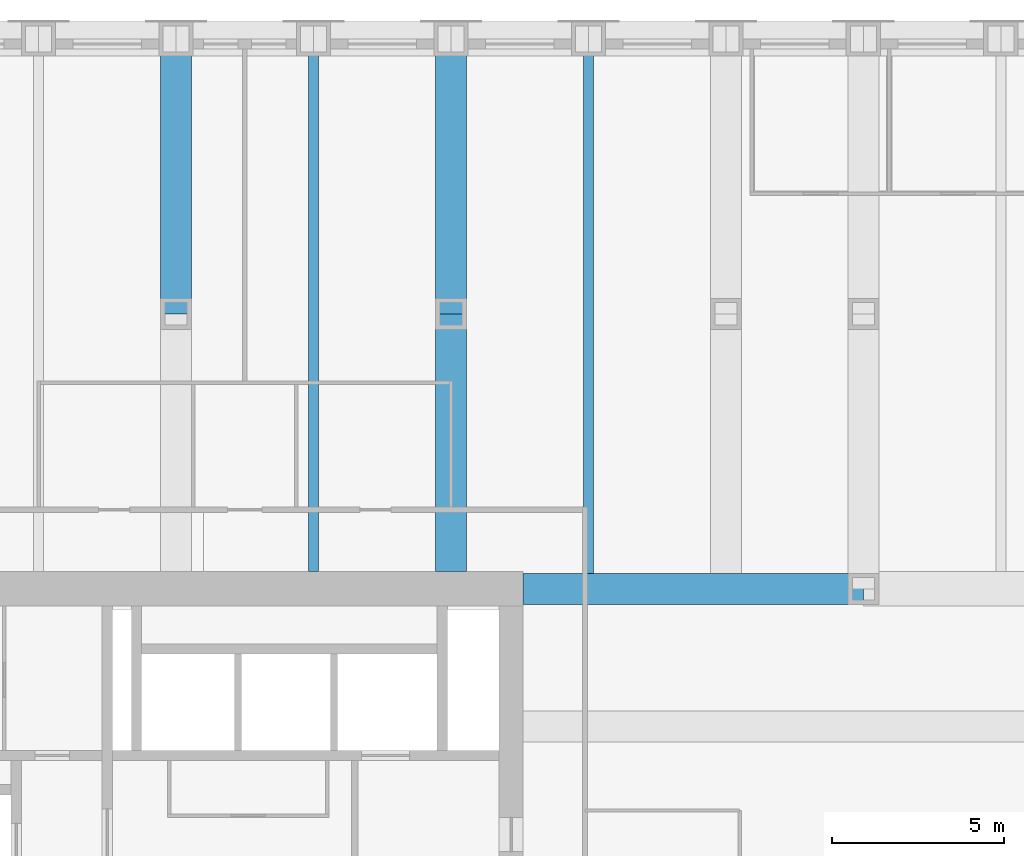
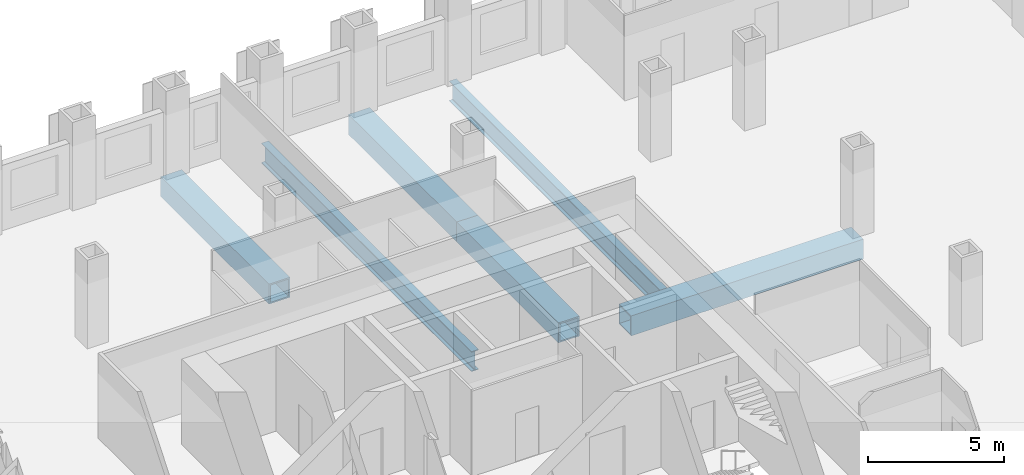
# One storey, part 7 of 16: 6 beams.
"""IFC4 building model written with IfcOpenShell, lengths in metres."""

import ifcopenshell
import ifcopenshell.guid

model = None  # the IFC model being written
_history = None  # IfcOwnerHistory: only IFC2X3 demands one
_inside = {}  # id of a spatial element -> (the spatial element, [elements in it])
_under = {}  # id of a project, library or spatial element -> (it, [spatial elements below it])
_declared = {}  # id of a project -> (the project, [libraries it declares])
_typed = {}  # id of a type object -> (the type object, [elements of that type])
_made_of = {}  # id of a material, layer set ... -> (it, [elements and type objects made of it])


def new_model(schema):
    """Start an empty IFC model of exactly this schema.

    Asked for "IFC4X3", IfcOpenShell would pick the latest addendum, in which some entities
    have other attributes; the version numbers below select the first issue.
    IFC2X3 requires an IfcOwnerHistory on every rooted entity: one is made here for all.
    """
    global model, _history
    if schema == "IFC4X3":
        model = ifcopenshell.file(schema_version=(4, 3, 0, 0))
    else:
        model = ifcopenshell.file(schema=schema)
    _inside.clear()
    _under.clear()
    _declared.clear()
    _typed.clear()
    _made_of.clear()
    _history = None
    if model.schema == "IFC2X3":
        org = make("IfcOrganization", Name="unknown")
        user = make(
            "IfcPersonAndOrganization",
            ThePerson=make("IfcPerson", FamilyName="unknown"),
            TheOrganization=org,
        )
        app = make(
            "IfcApplication",
            ApplicationDeveloper=org,
            Version="unknown",
            ApplicationFullName="unknown",
            ApplicationIdentifier="unknown",
        )
        _history = make(
            "IfcOwnerHistory",
            OwningUser=user,
            OwningApplication=app,
            ChangeAction="ADDED",
            CreationDate=0,
        )
    return model


def make(cls, **values):
    """One entity of the class cls with the attributes given. An attribute that is None is left unset."""
    return model.create_entity(
        cls, **{name: value for name, value in values.items() if value is not None}
    )


def rooted(cls, **values):
    """An entity with a GlobalId (a new one), such as an element, a storey or a relation."""
    return make(cls, GlobalId=ifcopenshell.guid.new(), OwnerHistory=_history, **values)


def si_unit(unit_type, name, prefix=None):
    """IfcSIUnit, for example si_unit("LENGTHUNIT", "METRE", prefix="MILLI")."""
    return make("IfcSIUnit", UnitType=unit_type, Prefix=prefix, Name=name)


def assignment(units):
    """IfcUnitAssignment: the units of a project."""
    return None if units is None else make("IfcUnitAssignment", Units=units)


def point(xyz):
    """IfcCartesianPoint."""
    return None if xyz is None else make("IfcCartesianPoint", Coordinates=xyz)


def direction(xyz):
    """IfcDirection."""
    return None if xyz is None else make("IfcDirection", DirectionRatios=xyz)


def frame(location, z_axis=None, x_axis=None):
    """IfcAxis2Placement3D, a coordinate frame: its origin and axes. An axis left out is left unset."""
    return make(
        "IfcAxis2Placement3D",
        Location=point(location),
        Axis=direction(z_axis),
        RefDirection=direction(x_axis),
    )


def frame_2d(location, x_axis=None):
    """IfcAxis2Placement2D, a coordinate frame in the plane: its origin and x axis."""
    return make(
        "IfcAxis2Placement2D", Location=point(location), RefDirection=direction(x_axis)
    )


def origin():
    """The frame at (0, 0, 0) with its axes left unset."""
    return frame((0.0, 0.0, 0.0))


def origin_2d():
    """The frame at (0, 0) in the plane with its x axis left unset."""
    return frame_2d((0.0, 0.0))


def place(relative_to, where):
    """IfcLocalPlacement: puts the frame where relative to a parent placement (None: the world)."""
    return make(
        "IfcLocalPlacement", PlacementRelTo=relative_to, RelativePlacement=where
    )


def context(
    kind, dimensions, precision=None, world=None, true_north=None, identifier=None
):
    """IfcGeometricRepresentationContext, for example the 3D "Model" context."""
    return make(
        "IfcGeometricRepresentationContext",
        ContextIdentifier=identifier,
        ContextType=kind,
        CoordinateSpaceDimension=dimensions,
        Precision=precision,
        WorldCoordinateSystem=world,
        TrueNorth=true_north,
    )


def subcontext(parent, identifier, kind, view, scale=None):
    """IfcGeometricRepresentationSubContext, for example "Body" below "Model"."""
    return make(
        "IfcGeometricRepresentationSubContext",
        ContextIdentifier=identifier,
        ContextType=kind,
        ParentContext=parent,
        TargetScale=scale,
        TargetView=view,
    )


def project(units=None, contexts=None):
    """IfcProject with its units and contexts."""
    return rooted(
        "IfcProject",
        Name="project",
        RepresentationContexts=contexts,
        UnitsInContext=assignment(units),
    )


def spatial(cls, under=None, at=None, **own):
    """A site, building, storey or space (cls), placed at a placement, below another one or the project."""
    s = rooted(cls, ObjectPlacement=at, **own)
    if under is not None:
        _under.setdefault(under.id(), (under, []))[1].append(s)
    return s


def profile(cls, at=None, kind="AREA", **sizes):
    """A parametric profile (cls). Its sizes go by their IFC names, for example OverallWidth=200.0."""
    return make(cls, ProfileType=kind, Position=at, **sizes)


def hollow_rectangle(**sizes):
    """IfcRectangleHollowProfileDef."""
    return profile("IfcRectangleHollowProfileDef", **sizes)


def i_section(**sizes):
    """IfcIShapeProfileDef."""
    return profile("IfcIShapeProfileDef", **sizes)


def extrude(swept, where, along, depth):
    """IfcExtrudedAreaSolid: the profile swept, set in the frame where, extruded along a direction by depth."""
    return make(
        "IfcExtrudedAreaSolid",
        SweptArea=swept,
        Position=where,
        ExtrudedDirection=direction(along),
        Depth=depth,
    )


def shape(context_of_items, identifier, shape_type, items):
    """IfcShapeRepresentation: the items that make up one representation, for example the "Body"."""
    return make(
        "IfcShapeRepresentation",
        ContextOfItems=context_of_items,
        RepresentationIdentifier=identifier,
        RepresentationType=shape_type,
        Items=items,
    )


def material(Name=None, Category=None):
    """IfcMaterial."""
    return make("IfcMaterial", Name=Name, Category=Category)


def material_profile(
    of_material, cross_section, Name=None, Category=None, Priority=None
):
    """IfcMaterialProfile: a cross section and its material."""
    return make(
        "IfcMaterialProfile",
        Name=Name,
        Material=of_material,
        Profile=cross_section,
        Priority=Priority,
        Category=Category,
    )


def profile_set(profiles, Name=None, composite=None):
    """IfcMaterialProfileSet."""
    return make(
        "IfcMaterialProfileSet",
        Name=Name,
        MaterialProfiles=profiles,
        CompositeProfile=composite,
    )


def made_of(thing, what):
    """Note that an element or type object is made of a material, layer set ...; save() writes the relation."""
    if what is not None:
        _made_of.setdefault(what.id(), (what, []))[1].append(thing)
    return thing


def type_object(cls, material=None, **own):
    """A type object (cls), such as IfcWallType, which elements share."""
    return made_of(rooted(cls, **own), material)


def element(
    cls,
    number,
    at=None,
    inside=None,
    cuts=None,
    type_object=None,
    material=None,
    context=None,
    identifier="Body",
    shape_type=None,
    held_by="IfcProductDefinitionShape",
    body=None,
    shapes=None,
    **own,
):
    """One element of the class cls, such as IfcWall. Its Tag is "e" and its number.

    at: its placement. inside: the storey or other place that contains it. cuts: it is an
    opening in that element (IfcRelVoidsElement). A single representation is given by context,
    identifier, shape_type and body (its items); several are given by shapes. held_by: the class
    of the entity that holds the representations. save() writes the other relations.
    """
    e = rooted(cls, Tag="e%d" % number, ObjectPlacement=at, **own)
    if body is not None:
        shapes = [shape(context, identifier, shape_type, body)]
    if shapes is not None:
        e.Representation = make(held_by, Representations=shapes)
    if inside is not None:
        _inside.setdefault(inside.id(), (inside, []))[1].append(e)
    if cuts is not None:
        rooted(
            "IfcRelVoidsElement", RelatingBuildingElement=cuts, RelatedOpeningElement=e
        )
    if type_object is not None:
        _typed.setdefault(type_object.id(), (type_object, []))[1].append(e)
    return made_of(e, material)


def aggregate(whole, parts):
    """IfcRelAggregates: a whole, such as a stair, and the parts it consists of."""
    return rooted("IfcRelAggregates", RelatingObject=whole, RelatedObjects=parts)


def save(model, path):
    """Write the relations noted so far, then the file.

    IfcRelAggregates (storeys below a building ...), IfcRelContainedInSpatialStructure (elements
    in a storey), IfcRelDefinesByType, IfcRelAssociatesMaterial and IfcRelDeclares: one each for
    every whole, place, type object, material and project.
    """
    for whole, parts in _under.values():
        aggregate(whole, parts)
    for where, things in _inside.values():
        rooted(
            "IfcRelContainedInSpatialStructure",
            RelatedElements=things,
            RelatingStructure=where,
        )
    for kind, things in _typed.values():
        rooted("IfcRelDefinesByType", RelatedObjects=things, RelatingType=kind)
    for what, things in _made_of.values():
        rooted("IfcRelAssociatesMaterial", RelatedObjects=things, RelatingMaterial=what)
    for by, libraries in _declared.values():
        rooted("IfcRelDeclares", RelatingContext=by, RelatedDefinitions=libraries)
    model.write(path)


model = new_model("IFC4")

# Units and contexts
model_context = context("Model", 3, precision=1e-05, world=origin(), true_north=direction((0.0, 1.0)))
body_context = subcontext(model_context, "Body", "Model", "MODEL_VIEW")
ifc_project = project(units=[si_unit("LENGTHUNIT", "METRE"), si_unit("AREAUNIT", "SQUARE_METRE"), si_unit("VOLUMEUNIT", "CUBIC_METRE"), si_unit("PLANEANGLEUNIT", "RADIAN"), si_unit("MASSUNIT", "GRAM", prefix="KILO")], contexts=[model_context])

# Site, building, storey
site_placement = place(None, origin())
site = spatial("IfcSite", under=ifc_project, at=site_placement, CompositionType="ELEMENT")
building_placement = place(site_placement, origin())
building = spatial("IfcBuilding", under=site, at=building_placement, Name="Rimbunsela Tower", CompositionType="ELEMENT")
storey_placement = place(building_placement, frame((0.0, 0.0, 133.39990234375)))
storey = spatial("IfcBuildingStorey", under=building, at=storey_placement, Name="L32", CompositionType="ELEMENT", Elevation=133.39990234375)

# Beams
ifc_material_1 = material(Name="Steel BJ 55 (fy 410 MPa)", Category="steel")
ifc_material_profile_1 = material_profile(ifc_material_1, hollow_rectangle(XDim=0.89990234375, YDim=0.89990234375, WallThickness=0.06005859375, at=origin_2d()), Name="BOX 900x900x60")
ifc_profile_set_1 = profile_set([ifc_material_profile_1], Name="Steel BJ 55 (fy 410 MPa)")
beam_type_1 = type_object("IfcBeamType", Name="Beam BOX 900x900x60", PredefinedType="BEAM", material=ifc_profile_set_1)
beam_1_placement = place(storey_placement, frame((26.0, 44.0, -0.599853515625), z_axis=(0.0, 1.0, 0.0), x_axis=(-1.0, 0.0, 0.0)))
element("IfcBeam", 1, at=beam_1_placement, inside=storey, type_object=beam_type_1, Name="Beam B1 L32", PredefinedType="BEAM", context=body_context, shape_type="SweptSolid", body=[
    extrude(hollow_rectangle(XDim=0.89990234375, YDim=0.89990234375, WallThickness=0.06005859375, at=origin_2d()), origin(), (0.0, 0.0, 1.0), 8.0),
])
beam_2_placement = place(storey_placement, frame((34.0, 36.5, -0.599853515625), z_axis=(0.0, 1.0, 0.0), x_axis=(-1.0, 0.0, 0.0)))
element("IfcBeam", 2, at=beam_2_placement, inside=storey, type_object=beam_type_1, Name="Beam B1 L32", PredefinedType="BEAM", context=body_context, shape_type="SweptSolid", body=[
    extrude(hollow_rectangle(XDim=0.89990234375, YDim=0.89990234375, WallThickness=0.06005859375, at=origin_2d()), origin(), (0.0, 0.0, 1.0), 7.5),
])
beam_3_placement = place(storey_placement, frame((34.0, 44.0, -0.599853515625), z_axis=(0.0, 1.0, 0.0), x_axis=(-1.0, 0.0, 0.0)))
element("IfcBeam", 3, at=beam_3_placement, inside=storey, type_object=beam_type_1, Name="Beam B1 L32", PredefinedType="BEAM", context=body_context, shape_type="SweptSolid", body=[
    extrude(hollow_rectangle(XDim=0.89990234375, YDim=0.89990234375, WallThickness=0.06005859375, at=origin_2d()), origin(), (0.0, 0.0, 1.0), 8.0),
])
beam_4_placement = place(storey_placement, frame((36.10009765625, 36.0, -0.599853515625), z_axis=(1.0, 0.0, 0.0), x_axis=(0.0, 1.0, 0.0)))
element("IfcBeam", 4, at=beam_4_placement, inside=storey, type_object=beam_type_1, Name="Beam B1 L32", PredefinedType="BEAM", context=body_context, shape_type="SweptSolid", body=[
    extrude(hollow_rectangle(XDim=0.89990234375, YDim=0.89990234375, WallThickness=0.06005859375, at=origin_2d()), origin(), (0.0, 0.0, 1.0), 9.89990234375),
])
ifc_material_2 = material(Name="Steel BJ 55 (fy 410 MPa)", Category="steel")
ifc_material_profile_2 = material_profile(ifc_material_2, i_section(OverallWidth=0.300048828125, OverallDepth=0.89990234375, WebThickness=0.01611328125, FlangeThickness=0.028076171875, FilletRadius=0.028076171875, at=origin_2d()), Name="H 900x300x16x28")
ifc_profile_set_2 = profile_set([ifc_material_profile_2], Name="Steel BJ 55 (fy 410 MPa)")
beam_type_2 = type_object("IfcBeamType", Name="Beam H 900x300x16x28", PredefinedType="BEAM", material=ifc_profile_set_2)
beam_5_placement = place(storey_placement, frame((30.0, 36.5, -0.599853515625), z_axis=(0.0, 1.0, 0.0), x_axis=(-1.0, 0.0, 0.0)))
element("IfcBeam", 5, at=beam_5_placement, inside=storey, type_object=beam_type_2, Name="Beam B2 L32", PredefinedType="BEAM", context=body_context, shape_type="SweptSolid", body=[
    extrude(i_section(OverallWidth=0.300048828125, OverallDepth=0.89990234375, WebThickness=0.01611328125, FlangeThickness=0.028076171875, FilletRadius=0.028076171875, at=origin_2d()), origin(), (0.0, 0.0, 1.0), 15.5),
])
beam_6_placement = place(storey_placement, frame((38.0, 36.449951171875, -0.599853515625), z_axis=(0.0, 1.0, 0.0), x_axis=(-1.0, 0.0, 0.0)))
element("IfcBeam", 6, at=beam_6_placement, inside=storey, type_object=beam_type_2, Name="Beam B2 L32", PredefinedType="BEAM", context=body_context, shape_type="SweptSolid", body=[
    extrude(i_section(OverallWidth=0.300048828125, OverallDepth=0.89990234375, WebThickness=0.01611328125, FlangeThickness=0.028076171875, FilletRadius=0.028076171875, at=origin_2d()), origin(), (0.0, 0.0, 1.0), 15.550048828125),
])

save(model, "model.ifc")
